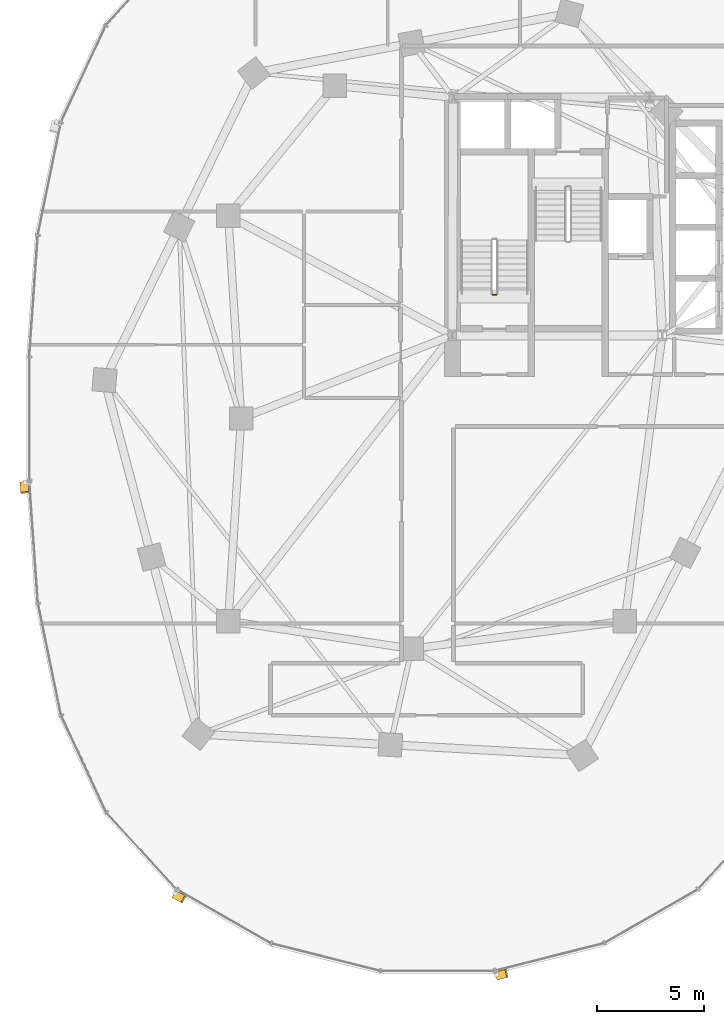
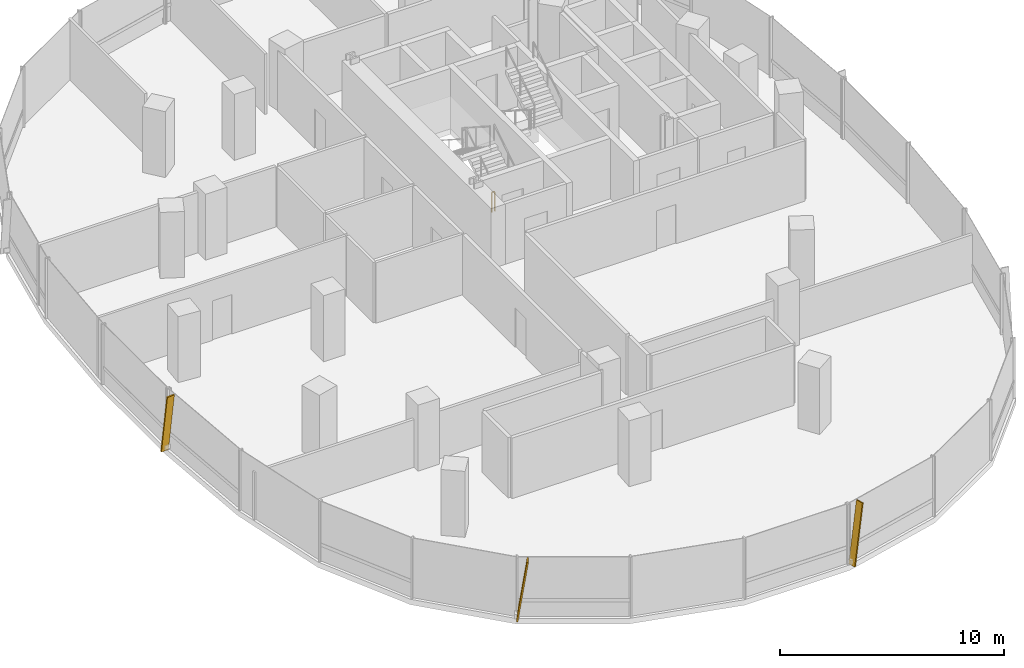
# One storey, part 17 of 21: 3 shading devices, 1 railing.
"""IFC4 building model written with IfcOpenShell, lengths in metres."""

from ifc_helpers import new_model, si_unit, direction, frame, origin, origin_2d, place, context, subcontext, project, spatial, rectangle, extrude, material, material_profile, profile_set, type_object, element, save


model = new_model("IFC4")

# Units and contexts
model_context = context("Model", 3, precision=1e-05, world=origin(), true_north=direction((0.0, 1.0)))
body_context = subcontext(model_context, "Body", "Model", "MODEL_VIEW")
ifc_project = project(units=[si_unit("LENGTHUNIT", "METRE"), si_unit("AREAUNIT", "SQUARE_METRE"), si_unit("VOLUMEUNIT", "CUBIC_METRE"), si_unit("PLANEANGLEUNIT", "RADIAN"), si_unit("MASSUNIT", "GRAM", prefix="KILO"), si_unit("THERMODYNAMICTEMPERATUREUNIT", "KELVIN"), si_unit("POWERUNIT", "WATT")], contexts=[model_context])

# Site, building, storey
site_placement = place(None, origin())
site = spatial("IfcSite", under=ifc_project, at=site_placement, CompositionType="ELEMENT")
building_placement = place(site_placement, origin())
building = spatial("IfcBuilding", under=site, at=building_placement, Name="Cundina Bronze Exchange", CompositionType="ELEMENT")
storey_placement = place(building_placement, frame((0.0, 0.0, 99.800048828125)))
storey = spatial("IfcBuildingStorey", under=building, at=storey_placement, Name="L25", CompositionType="ELEMENT", Elevation=99.800048828125)

# Railing
ifc_material_1 = material(Name="Steel ASTM A36 Painted", Category="steel")
railing_type = type_object("IfcRailingType", Name="RLG-STG-1100", PredefinedType="GUARDRAIL", material=ifc_material_1)
railing_placement = place(storey_placement, frame((-29.239990234375, 5.800048828125, 0.0)))
element("IfcRailing", 1, at=railing_placement, inside=storey, type_object=railing_type, Name="L25 ST-W1 stair guard 4", PredefinedType="GUARDRAIL", context=body_context, shape_type="SweptSolid", body=[
    extrude(rectangle(XDim=0.048095703125, YDim=0.048095703125, at=origin_2d()), frame((0.0, 0.0, 1.076171875), z_axis=(-1.0, 0.0, 0.0), x_axis=(0.0, -1.0, 0.0)), (0.0, 0.0, 1.0), 0.159912109375),
    extrude(rectangle(XDim=0.0419921875, YDim=0.0419921875, at=origin_2d()), origin(), (0.0, 0.0, 1.0), 1.052001953125),
    extrude(rectangle(XDim=0.0419921875, YDim=0.0419921875, at=origin_2d()), frame((-0.159912109375, 0.0, 0.0)), (0.0, 0.0, 1.0), 1.052001953125),
])

# Shading devices
ifc_material_2 = material(Name="Anodised Bronze Aluminium 6063-T6", Category="aluminium")
ifc_material_profile = material_profile(ifc_material_2, rectangle(XDim=0.070068359375, YDim=0.3798828125, at=origin_2d()), Name="FIN70X380", Category="aluminium")
ifc_profile_set = profile_set([ifc_material_profile], Name="Anodised Bronze Aluminium 6063-T6")
shading_device_type = type_object("IfcShadingDeviceType", Name="SHD-FIN-BRZ380", PredefinedType="USERDEFINED", material=ifc_profile_set)
for number, where, z_axis, x_axis, name in (
    (2, (-51.3740234375, -2.993896484375, 0.02001953125), (0.010224545828, -0.145292278041, 0.989335945271), (-0.069450050635, 0.986895284755, 0.145651595925), "L25 Diagonal Bronze Solar Fin 1"),
    (3, (-44.314208984375, -22.314208984375, 0.02001953125), (0.126324692219, -0.072534823274, 0.989333498649), (-0.857958278167, 0.492634108109, 0.145668213594), "L25 Diagonal Bronze Solar Fin 5"),
    (4, (-29.212646484375, -26.138427734375, 0.02001953125), (0.141217047268, 0.035711761166, 0.989334329575), (-0.95914051701, -0.242552848478, 0.145662570088), "L25 Diagonal Bronze Solar Fin 1"),
):
    element("IfcShadingDevice", number, at=place(storey_placement, frame(where, z_axis=z_axis, x_axis=x_axis)), inside=storey, type_object=shading_device_type, Name=name, ObjectType="FIN", PredefinedType="USERDEFINED", context=body_context, shape_type="SweptSolid", body=[
        extrude(rectangle(XDim=0.070068359375, YDim=0.3798828125, at=origin_2d()), origin(), (0.0, 0.0, 1.0), 3.295166015625),
    ])

save(model, "model.ifc")
